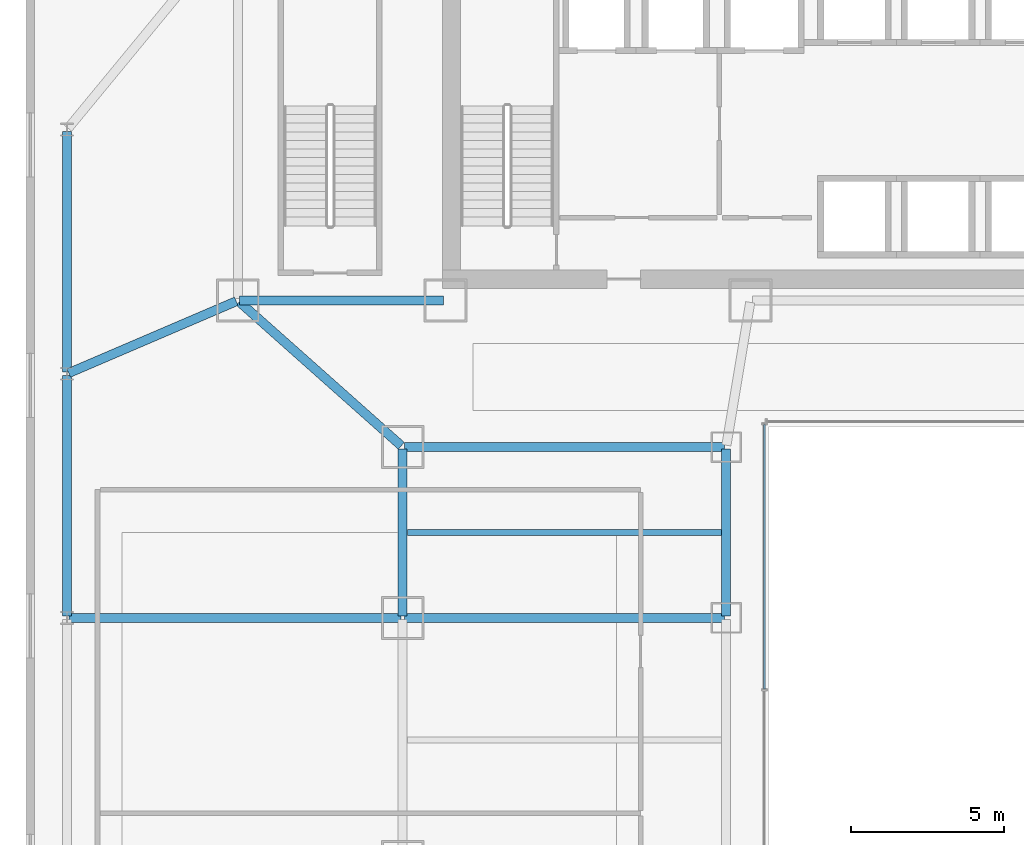
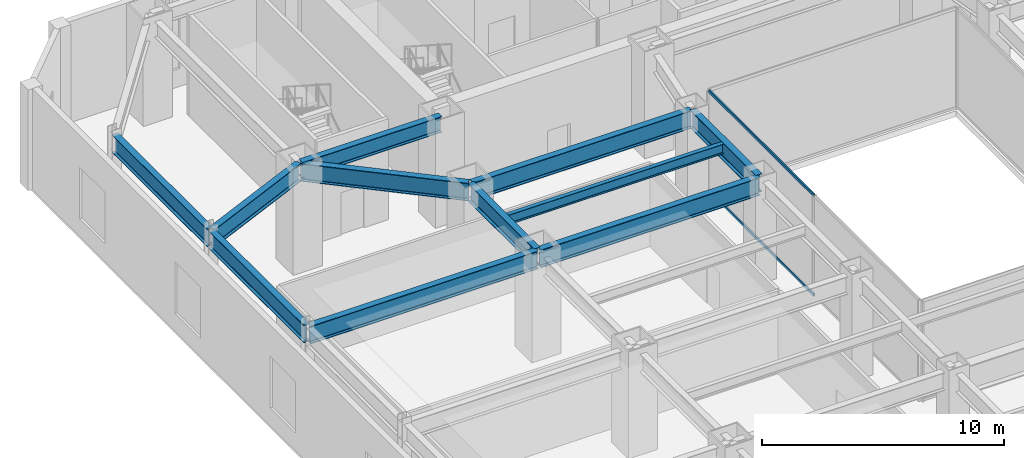
# One storey, part 23 of 52: 11 beams, 2 members, 1 element without a shape of its own.
"""IFC4 building model written with IfcOpenShell, lengths in metres."""

from ifc_helpers import new_model, si_unit, direction, frame, origin, origin_2d, place, context, subcontext, project, spatial, hollow_rectangle, i_section, extrude, material, material_profile, profile_set, type_object, element, aggregate, save


model = new_model("IFC4")

# Units and contexts
model_context = context("Model", 3, precision=1e-05, world=origin(), true_north=direction((0.0, 1.0)))
body_context = subcontext(model_context, "Body", "Model", "MODEL_VIEW")
ifc_project = project(units=[si_unit("LENGTHUNIT", "METRE"), si_unit("AREAUNIT", "SQUARE_METRE"), si_unit("VOLUMEUNIT", "CUBIC_METRE"), si_unit("PLANEANGLEUNIT", "RADIAN"), si_unit("MASSUNIT", "GRAM", prefix="KILO")], contexts=[model_context])

# Site, building, storey
site_placement = place(None, origin())
site = spatial("IfcSite", under=ifc_project, at=site_placement, CompositionType="ELEMENT")
building_placement = place(site_placement, origin())
building = spatial("IfcBuilding", under=site, at=building_placement, Name="Saevonmaru Cultural Tower", CompositionType="ELEMENT")
storey_placement = place(building_placement, frame((0.0, 0.0, 16.800048828125)))
storey = spatial("IfcBuildingStorey", under=building, at=storey_placement, Name="L03", CompositionType="ELEMENT", Elevation=16.800048828125)

# Beams
ifc_material_1 = material(Name="Steel SM420", Category="steel")
ifc_material_profile_1 = material_profile(ifc_material_1, i_section(OverallWidth=0.300048828125, OverallDepth=0.800048828125, WebThickness=0.013916015625, FlangeThickness=0.02587890625, FilletRadius=0.028076171875, at=origin_2d()), Name="H-800x300x14x26")
ifc_profile_set_1 = profile_set([ifc_material_profile_1], Name="Steel SM420")
beam_type_1 = type_object("IfcBeamType", Name="BM-G-H800", PredefinedType="BEAM", material=ifc_profile_set_1)
beam_1_placement = place(storey_placement, frame((6.860107421875, 42.39990234375, 4.699951171875), z_axis=(1.0, 0.0, 0.0), x_axis=(0.0, 1.0, 0.0)))
element("IfcBeam", 1, at=beam_1_placement, inside=storey, type_object=beam_type_1, Name="L03 Core South Girder 1", PredefinedType="BEAM", context=body_context, shape_type="SweptSolid", body=[
    extrude(i_section(OverallWidth=0.300048828125, OverallDepth=0.800048828125, WebThickness=0.013916015625, FlangeThickness=0.02587890625, FilletRadius=0.028076171875, at=origin_2d()), origin(), (0.0, 0.0, 1.0), 6.679931640625),
])
ifc_material_profile_2 = material_profile(ifc_material_1, i_section(OverallWidth=0.300048828125, OverallDepth=0.89990234375, WebThickness=0.01611328125, FlangeThickness=0.028076171875, FilletRadius=0.028076171875, at=origin_2d()), Name="H-900x300x16x28")
ifc_profile_set_2 = profile_set([ifc_material_profile_2], Name="Steel SM420")
beam_type_2 = type_object("IfcBeamType", Name="BM-G-H900", PredefinedType="BEAM", material=ifc_profile_set_2)
beam_2_placement = place(storey_placement, frame((12.199951171875, 32.06005859375, 4.64990234375), z_axis=(0.0, 1.0, 0.0), x_axis=(-1.0, 0.0, 0.0)))
element("IfcBeam", 2, at=beam_2_placement, inside=storey, type_object=beam_type_2, Name="L03 Podium Girder NS1-5", PredefinedType="BEAM", context=body_context, shape_type="SweptSolid", body=[
    extrude(i_section(OverallWidth=0.300048828125, OverallDepth=0.89990234375, WebThickness=0.01611328125, FlangeThickness=0.028076171875, FilletRadius=0.028076171875, at=origin_2d()), origin(), (0.0, 0.0, 1.0), 5.47998046875),
])
beam_3_placement = place(storey_placement, frame((12.1552734375, 37.639892578125, 4.64990234375), z_axis=(-0.74742827637, 0.664342510819, 0.0), x_axis=(-0.664342510819, -0.74742827637, 0.0)))
element("IfcBeam", 3, at=beam_3_placement, inside=storey, type_object=beam_type_2, Name="L03 Podium Girder NS1-6", PredefinedType="BEAM", context=body_context, shape_type="SweptSolid", body=[
    extrude(i_section(OverallWidth=0.300048828125, OverallDepth=0.89990234375, WebThickness=0.01611328125, FlangeThickness=0.028076171875, FilletRadius=0.028076171875, at=origin_2d()), origin(), (0.0, 0.0, 1.0), 7.10498046875),
])
beam_4_placement = place(storey_placement, frame((22.800048828125, 32.06005859375, 4.64990234375), z_axis=(0.0, 1.0, 0.0), x_axis=(-1.0, 0.0, 0.0)))
element("IfcBeam", 4, at=beam_4_placement, inside=storey, type_object=beam_type_2, Name="L03 Podium Girder NS2-5", PredefinedType="BEAM", context=body_context, shape_type="SweptSolid", body=[
    extrude(i_section(OverallWidth=0.300048828125, OverallDepth=0.89990234375, WebThickness=0.01611328125, FlangeThickness=0.028076171875, FilletRadius=0.028076171875, at=origin_2d()), origin(), (0.0, 0.0, 1.0), 5.47998046875),
])
for number, where, z_axis, x_axis, name in (
    (5, (12.260009765625, 32.0, 4.64990234375), (1.0, 0.0, 0.0), (0.0, 1.0, 0.0), "L03 Gallery Girder W-4"),
    (6, (12.260009765625, 37.60009765625, 4.64990234375), (1.0, 0.0, 0.0), (0.0, 1.0, 0.0), "L03 Gallery Girder W-5"),
):
    element("IfcBeam", number, at=place(storey_placement, frame(where, z_axis=z_axis, x_axis=x_axis)), inside=storey, type_object=beam_type_2, Name=name, PredefinedType="BEAM", context=body_context, shape_type="SweptSolid", body=[
        extrude(i_section(OverallWidth=0.300048828125, OverallDepth=0.89990234375, WebThickness=0.01611328125, FlangeThickness=0.028076171875, FilletRadius=0.028076171875, at=origin_2d()), origin(), (0.0, 0.0, 1.0), 10.47998046875),
    ])
beam_5_placement = place(storey_placement, frame((1.260009765625, 32.0, 4.64990234375), z_axis=(1.0, 0.0, 0.0), x_axis=(0.0, 1.0, 0.0)))
element("IfcBeam", 7, at=beam_5_placement, inside=storey, type_object=beam_type_2, Name="BM-POD-OW-4-L03", PredefinedType="BEAM", context=body_context, shape_type="SweptSolid", body=[
    extrude(i_section(OverallWidth=0.300048828125, OverallDepth=0.89990234375, WebThickness=0.01611328125, FlangeThickness=0.028076171875, FilletRadius=0.028076171875, at=origin_2d()), origin(), (0.0, 0.0, 1.0), 10.8798828125),
])
for number, where, z_axis, x_axis, name in (
    (8, (1.199951171875, 32.06005859375, 4.64990234375), (0.0, 1.0, 0.0), (-1.0, 0.0, 0.0), "BM-POD-PW-4-L03"),
    (9, (1.199951171875, 40.06005859375, 4.64990234375), (0.0, 1.0, 0.0), (-1.0, 0.0, 0.0), "BM-POD-PW-5-L03"),
):
    element("IfcBeam", number, at=place(storey_placement, frame(where, z_axis=z_axis, x_axis=x_axis)), inside=storey, type_object=beam_type_2, Name=name, PredefinedType="BEAM", context=body_context, shape_type="SweptSolid", body=[
        extrude(i_section(OverallWidth=0.300048828125, OverallDepth=0.89990234375, WebThickness=0.01611328125, FlangeThickness=0.028076171875, FilletRadius=0.028076171875, at=origin_2d()), origin(), (0.0, 0.0, 1.0), 7.8798828125),
    ])
beam_6_placement = place(storey_placement, frame((1.255126953125, 40.023681640625, 4.64990234375), z_axis=(0.919142915717, 0.393924231912, 0.0), x_axis=(-0.393924231912, 0.919142915717, 0.0)))
element("IfcBeam", 10, at=beam_6_placement, inside=storey, type_object=beam_type_2, Name="BM-POD-TW1-L03", PredefinedType="BEAM", context=body_context, shape_type="SweptSolid", body=[
    extrude(i_section(OverallWidth=0.300048828125, OverallDepth=0.89990234375, WebThickness=0.01611328125, FlangeThickness=0.028076171875, FilletRadius=0.028076171875, at=origin_2d()), origin(), (0.0, 0.0, 1.0), 5.97265625),
])
ifc_material_2 = material(Name="Steel SM355", Category="steel")
ifc_material_profile_3 = material_profile(ifc_material_2, i_section(OverallWidth=0.199951171875, OverallDepth=0.5, WebThickness=0.010009765625, FlangeThickness=0.01611328125, FilletRadius=0.02001953125, at=origin_2d()), Name="H-500x200x10x16")
ifc_profile_set_3 = profile_set([ifc_material_profile_3], Name="Steel SM355")
beam_type_3 = type_object("IfcBeamType", Name="BM-J-H500", PredefinedType="JOIST", material=ifc_profile_set_3)
beam_7_placement = place(storey_placement, frame((12.35791015625, 34.800048828125, 4.849853515625), z_axis=(1.0, 0.0, 0.0), x_axis=(0.0, 1.0, 0.0)))
element("IfcBeam", 11, at=beam_7_placement, inside=storey, type_object=beam_type_3, Name="L03 Secondary Floor Joist JW-4", PredefinedType="JOIST", context=body_context, shape_type="SweptSolid", body=[
    extrude(i_section(OverallWidth=0.199951171875, OverallDepth=0.5, WebThickness=0.010009765625, FlangeThickness=0.01611328125, FilletRadius=0.02001953125, at=origin_2d()), origin(), (0.0, 0.0, 1.0), 10.2841796875),
])

# Curtain wall, members
ifc_material_3 = material(Name="Satin Bronze Anodised Aluminium", Category="aluminium")
curtain_wall_type = type_object("IfcCurtainWallType", Name="CW-ATR-GLZ", PredefinedType="NOTDEFINED", material=ifc_material_3)
curtain_wall_placement = place(storey_placement, origin())
curtain_wall = element("IfcCurtainWall", 12, at=curtain_wall_placement, inside=storey, type_object=curtain_wall_type, Name="L03 Vertical Atrium Glazed Smoke Screen 4", PredefinedType="NOTDEFINED")
ifc_material_profile_4 = material_profile(ifc_material_3, hollow_rectangle(XDim=0.06494140625, YDim=0.14990234375, WallThickness=0.00390625, at=origin_2d()), Name="ALU-TRAN-150x65x4")
ifc_profile_set_4 = profile_set([ifc_material_profile_4], Name="Satin Bronze Anodised Aluminium")
member_type = type_object("IfcMemberType", Name="TR-CW-INT-150x65", PredefinedType="USERDEFINED", material=ifc_profile_set_4)
member_1_placement = place(storey_placement, frame((24.050048828125, 38.33740234375, 0.032470703125), z_axis=(0.0, -1.0, 0.0), x_axis=(1.0, 0.0, 0.0)))
member_1 = element("IfcMember", 13, at=member_1_placement, type_object=member_type, Name="CW-ATR-L03-4 transom 1.1", ObjectType="TRANSOM", PredefinedType="USERDEFINED", context=body_context, shape_type="SweptSolid", body=[
    extrude(hollow_rectangle(XDim=0.06494140625, YDim=0.14990234375, WallThickness=0.00390625, at=origin_2d()), origin(), (0.0, 0.0, 1.0), 8.664794921875),
])
member_2_placement = place(storey_placement, frame((24.050048828125, 38.33740234375, 5.0673828125), z_axis=(0.0, -1.0, 0.0), x_axis=(1.0, 0.0, 0.0)))
member_2 = element("IfcMember", 14, at=member_2_placement, type_object=member_type, Name="CW-ATR-L03-4 transom 1.2", ObjectType="TRANSOM", PredefinedType="USERDEFINED", context=body_context, shape_type="SweptSolid", body=[
    extrude(hollow_rectangle(XDim=0.06494140625, YDim=0.14990234375, WallThickness=0.00390625, at=origin_2d()), origin(), (0.0, 0.0, 1.0), 8.664794921875),
])
aggregate(curtain_wall, [member_1, member_2])

save(model, "model.ifc")
